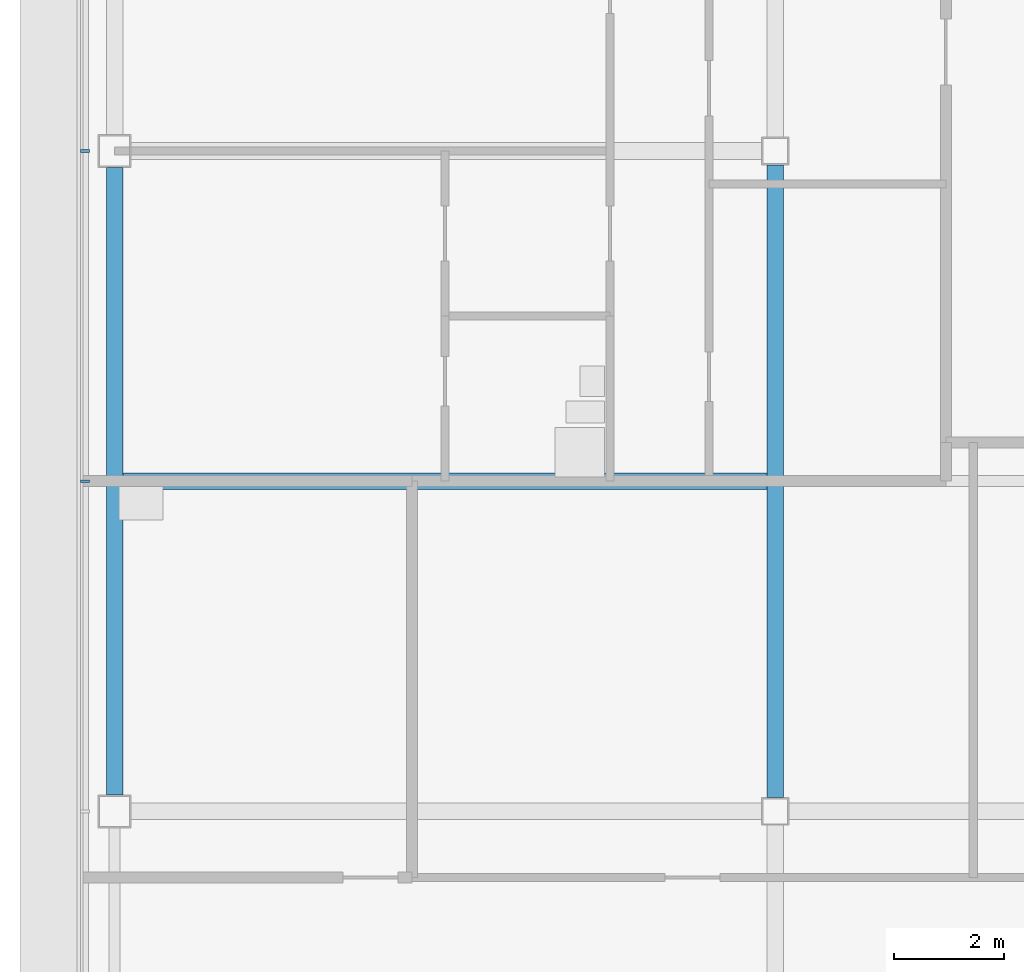
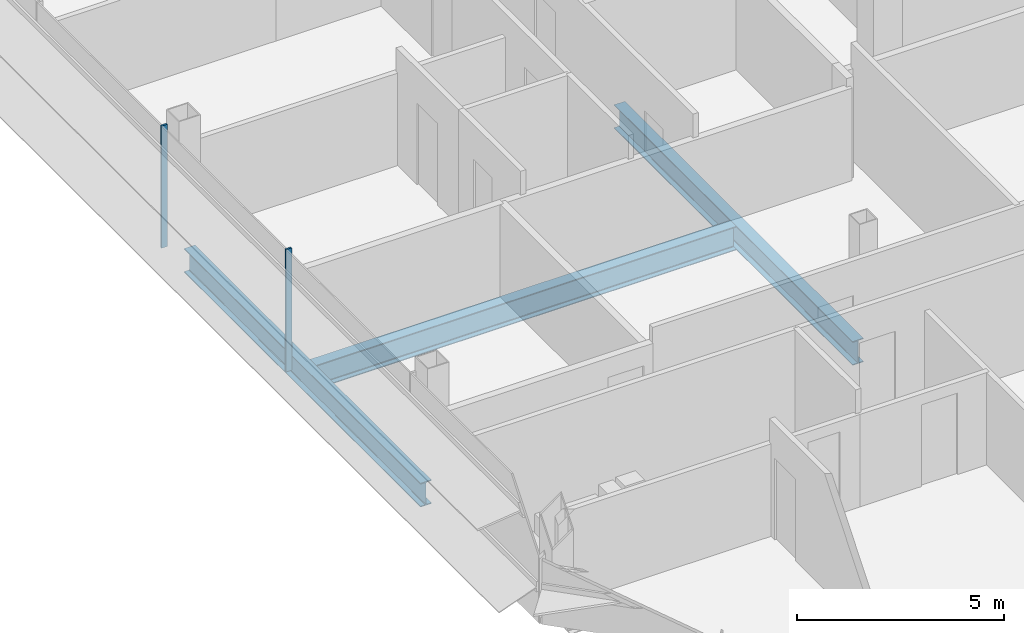
# One storey, part 5 of 28: 3 beams, 2 members, 1 element without a shape of its own.
"""IFC4 building model written with IfcOpenShell, lengths in metres."""

from ifc_helpers import new_model, si_unit, direction, frame, origin, origin_2d, place, context, subcontext, project, spatial, rectangle, i_section, extrude, material, material_profile, profile_set, type_object, element, aggregate, save


model = new_model("IFC4")

# Units and contexts
model_context = context("Model", 3, precision=1e-05, world=origin(), true_north=direction((0.0, 1.0)))
body_context = subcontext(model_context, "Body", "Model", "MODEL_VIEW")
ifc_project = project(units=[si_unit("LENGTHUNIT", "METRE"), si_unit("AREAUNIT", "SQUARE_METRE"), si_unit("VOLUMEUNIT", "CUBIC_METRE"), si_unit("PLANEANGLEUNIT", "RADIAN"), si_unit("MASSUNIT", "GRAM", prefix="KILO")], contexts=[model_context])

# Site, building, storey
site_placement = place(None, origin())
site = spatial("IfcSite", under=ifc_project, at=site_placement, CompositionType="ELEMENT")
building_placement = place(site_placement, origin())
building = spatial("IfcBuilding", under=site, at=building_placement, Name="Sorahane Residences", CompositionType="ELEMENT")
storey_placement = place(building_placement, frame((0.0, 0.0, 270.199951171875)))
storey = spatial("IfcBuildingStorey", under=building, at=storey_placement, Name="L64", CompositionType="ELEMENT", Elevation=270.199951171875)

# Curtain wall, members
ifc_material_1 = material(Name="Dark low-e glass and black anodised aluminium", Category="aluminium")
curtain_wall_type = type_object("IfcCurtainWallType", Name="Curtain wall CW-1 Typical unitised wall", PredefinedType="NOTDEFINED", material=ifc_material_1)
curtain_wall_placement = place(storey_placement, origin())
curtain_wall = element("IfcCurtainWall", 1, at=curtain_wall_placement, inside=storey, type_object=curtain_wall_type, Name="CW-1 curtain wall L64 W1", PredefinedType="NOTDEFINED")
ifc_material_2 = material(Name="Black anodised aluminium", Category="aluminium")
ifc_material_profile_1 = material_profile(ifc_material_2, rectangle(XDim=0.159912109375, YDim=0.050048828125, at=origin_2d()), Name="Curtain wall mullion CW-1 black anodised aluminium 50x160")
ifc_profile_set_1 = profile_set([ifc_material_profile_1], Name="Black anodised aluminium")
member_type = type_object("IfcMemberType", Name="Curtain wall mullion CW-1 black anodised aluminium 50x160", PredefinedType="MULLION", material=ifc_profile_set_1)
member_1_placement = place(storey_placement, frame((-12.5400390625, 24.0, -0.179931640625), z_axis=(0.0, 0.0, 1.0), x_axis=(-1.0, 0.0, 0.0)))
member_1 = element("IfcMember", 2, at=member_1_placement, type_object=member_type, Name="CW-1 mullion L64 W1.4", PredefinedType="MULLION", context=body_context, shape_type="SweptSolid", body=[
    extrude(rectangle(XDim=0.159912109375, YDim=0.050048828125, at=origin_2d()), origin(), (0.0, 0.0, 1.0), 3.60009765625),
])
member_2_placement = place(storey_placement, frame((-12.5400390625, 18.0, -0.179931640625), z_axis=(0.0, 0.0, 1.0), x_axis=(-1.0, 0.0, 0.0)))
member_2 = element("IfcMember", 3, at=member_2_placement, type_object=member_type, Name="CW-1 mullion L64 W1.5", PredefinedType="MULLION", context=body_context, shape_type="SweptSolid", body=[
    extrude(rectangle(XDim=0.159912109375, YDim=0.050048828125, at=origin_2d()), origin(), (0.0, 0.0, 1.0), 3.60009765625),
])
aggregate(curtain_wall, [member_1, member_2])

# Beams
ifc_material_3 = material(Name="Steel Q355B", Category="steel")
ifc_material_profile_2 = material_profile(ifc_material_3, i_section(OverallWidth=0.300048828125, OverallDepth=0.699951171875, WebThickness=0.012939453125, FlangeThickness=0.02392578125, FilletRadius=0.028076171875, at=origin_2d()), Name="HN 700x300x13x24")
ifc_profile_set_2 = profile_set([ifc_material_profile_2], Name="Steel Q355B")
beam_type = type_object("IfcBeamType", Name="Steel floor beam HN 700x300x13x24 Q355B", PredefinedType="BEAM", material=ifc_profile_set_2)
beam_1_placement = place(storey_placement, frame((-12.0, 12.300048828125, -0.530029296875), z_axis=(0.0, 1.0, 0.0), x_axis=(-1.0, 0.0, 0.0)))
element("IfcBeam", 4, at=beam_1_placement, inside=storey, type_object=beam_type, Name="Beam L64 021", PredefinedType="BEAM", context=body_context, shape_type="SweptSolid", body=[
    extrude(i_section(OverallWidth=0.300048828125, OverallDepth=0.699951171875, WebThickness=0.012939453125, FlangeThickness=0.02392578125, FilletRadius=0.028076171875, at=origin_2d()), origin(), (0.0, 0.0, 1.0), 11.39990234375),
])
beam_2_placement = place(storey_placement, frame((0.0, 12.25, -0.530029296875), z_axis=(0.0, 1.0, 0.0), x_axis=(-1.0, 0.0, 0.0)))
element("IfcBeam", 5, at=beam_2_placement, inside=storey, type_object=beam_type, Name="Beam L64 025", PredefinedType="BEAM", context=body_context, shape_type="SweptSolid", body=[
    extrude(i_section(OverallWidth=0.300048828125, OverallDepth=0.699951171875, WebThickness=0.012939453125, FlangeThickness=0.02392578125, FilletRadius=0.028076171875, at=origin_2d()), origin(), (0.0, 0.0, 1.0), 11.5),
])
beam_3_placement = place(storey_placement, frame((-11.85009765625, 18.0, -0.530029296875), z_axis=(1.0, 0.0, 0.0), x_axis=(0.0, 1.0, 0.0)))
element("IfcBeam", 6, at=beam_3_placement, inside=storey, type_object=beam_type, Name="Beam L64 078", PredefinedType="BEAM", context=body_context, shape_type="SweptSolid", body=[
    extrude(i_section(OverallWidth=0.300048828125, OverallDepth=0.699951171875, WebThickness=0.012939453125, FlangeThickness=0.02392578125, FilletRadius=0.028076171875, at=origin_2d()), origin(), (0.0, 0.0, 1.0), 11.7001953125),
])

save(model, "model.ifc")
